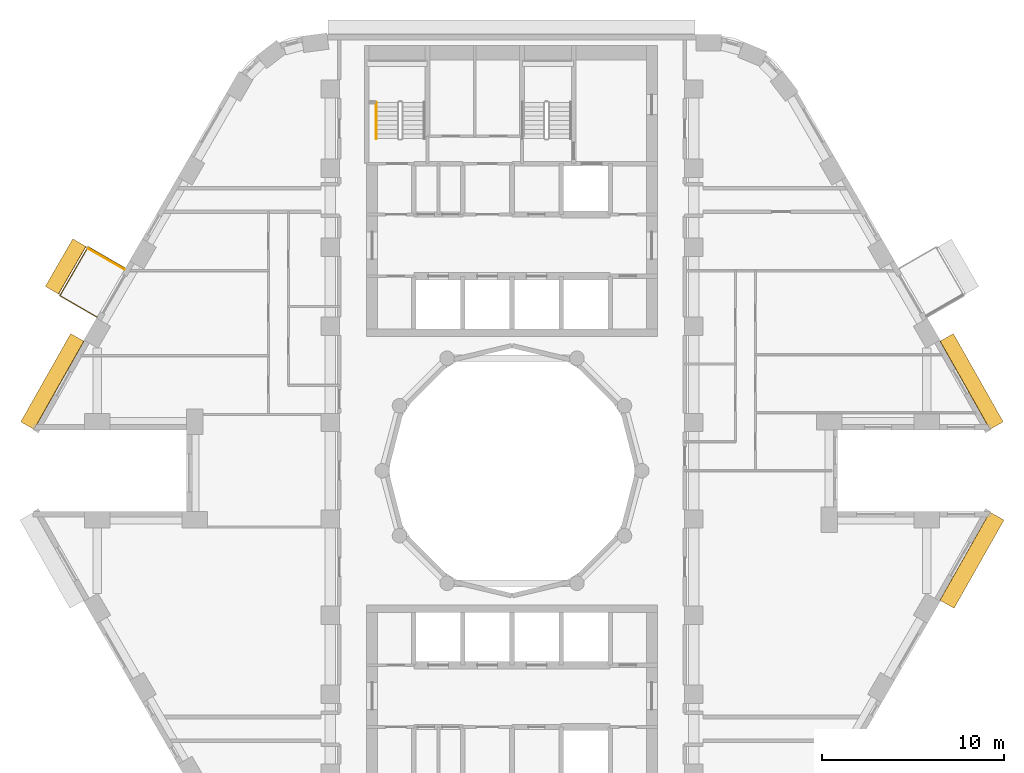
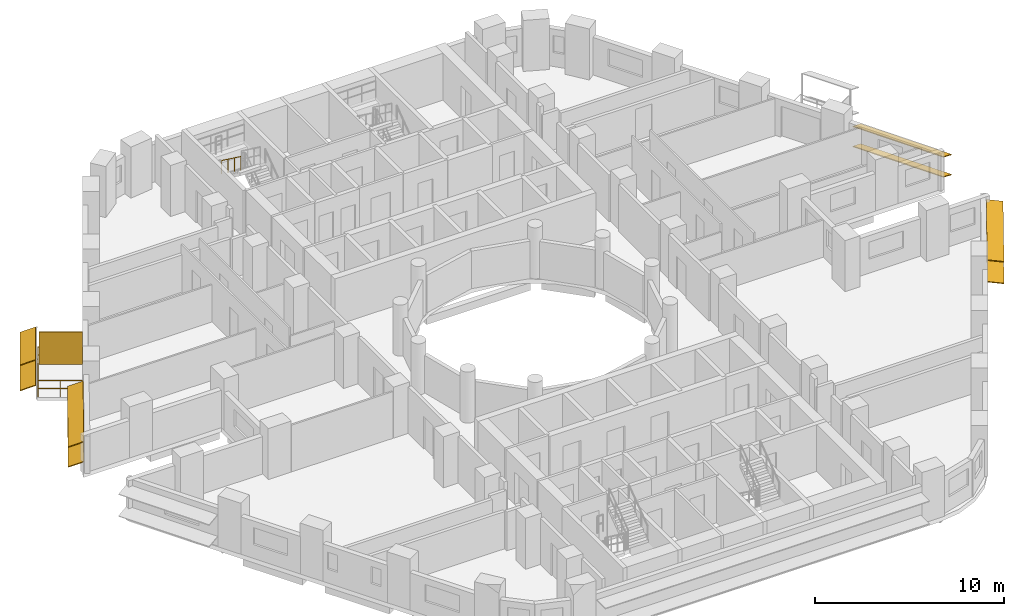
# One storey, part 13 of 14: 9 shading devices, 2 railings.
"""IFC4 building model written with IfcOpenShell, lengths in metres."""

from ifc_helpers import new_model, si_unit, direction, frame, origin, origin_2d, place, context, subcontext, project, spatial, rectangle, circle, extrude, material, layer, layer_set, material_profile, profile_set, type_object, element, save


model = new_model("IFC4")

# Units and contexts
model_context = context("Model", 3, precision=1e-05, world=origin(), true_north=direction((0.0, 1.0)))
body_context = subcontext(model_context, "Body", "Model", "MODEL_VIEW")
ifc_project = project(units=[si_unit("LENGTHUNIT", "METRE"), si_unit("AREAUNIT", "SQUARE_METRE"), si_unit("VOLUMEUNIT", "CUBIC_METRE"), si_unit("PLANEANGLEUNIT", "RADIAN"), si_unit("MASSUNIT", "GRAM", prefix="KILO")], contexts=[model_context])

# Site, building, storey
site_placement = place(None, origin())
site = spatial("IfcSite", under=ifc_project, at=site_placement, CompositionType="ELEMENT")
building_placement = place(site_placement, origin())
building = spatial("IfcBuilding", under=site, at=building_placement, Name="Nakaniwa Court", CompositionType="ELEMENT")
storey_placement = place(building_placement, frame((0.0, 0.0, 114.0)))
storey = spatial("IfcBuildingStorey", under=building, at=storey_placement, Name="L30", CompositionType="ELEMENT", Elevation=114.0)

# Railing
ifc_material_1 = material(Name="Black powder-coated steel flat bar balustrade S275", Category="steel")
railing_type_1 = type_object("IfcRailingType", Name="Black metal balcony guard 1100", PredefinedType="GUARDRAIL", material=ifc_material_1)
railing_1_placement = place(storey_placement, frame((58.7177734375, 91.13818359375, -0.050048828125)))
element("IfcRailing", 1, at=railing_1_placement, inside=storey, type_object=railing_type_1, Name="L30 balcony guard 01", PredefinedType="GUARDRAIL", context=body_context, shape_type="SweptSolid", body=[
    extrude(circle(Radius=0.02392578125, at=origin_2d()), frame((0.0, 0.0, 1.076171875), z_axis=(-0.866025363618, 0.50000006957, 0.0), x_axis=(-0.50000006957, -0.866025363618, 0.0)), (0.0, 0.0, 1.0), 2.35986328125),
    extrude(circle(Radius=0.02392578125, at=origin_2d()), frame((0.0, 0.0, 0.550048828125), z_axis=(-0.866025363618, 0.50000006957, 0.0), x_axis=(-0.50000006957, -0.866025363618, 0.0)), (0.0, 0.0, 1.0), 2.35986328125),
    extrude(circle(Radius=0.02392578125, at=origin_2d()), frame((-2.043701171875, 1.179931640625, 1.076171875), z_axis=(-0.499983724212, -0.866034800411, 0.0), x_axis=(0.866034800411, -0.499983724212, 0.0)), (0.0, 0.0, 1.0), 3.1005859375),
    extrude(circle(Radius=0.02392578125, at=origin_2d()), frame((-2.043701171875, 1.179931640625, 0.550048828125), z_axis=(-0.499983724212, -0.866034800411, 0.0), x_axis=(0.866034800411, -0.499983724212, 0.0)), (0.0, 0.0, 1.0), 3.1005859375),
    extrude(circle(Radius=0.02392578125, at=origin_2d()), frame((-3.593994140625, -1.50537109375, 1.076171875), z_axis=(0.866025363618, -0.50000006957, 0.0), x_axis=(0.50000006957, 0.866025363618, 0.0)), (0.0, 0.0, 1.0), 2.35986328125),
    extrude(circle(Radius=0.02392578125, at=origin_2d()), frame((-3.593994140625, -1.50537109375, 0.550048828125), z_axis=(0.866025363618, -0.50000006957, 0.0), x_axis=(0.50000006957, 0.866025363618, 0.0)), (0.0, 0.0, 1.0), 2.35986328125),
    extrude(circle(Radius=0.02099609375, at=origin_2d()), origin(), (0.0, 0.0, 1.0), 1.052001953125),
    extrude(circle(Radius=0.02099609375, at=origin_2d()), frame((-1.02197265625, 0.58984375, 0.0)), (0.0, 0.0, 1.0), 1.052001953125),
    extrude(circle(Radius=0.02099609375, at=origin_2d()), frame((-2.043701171875, 1.179931640625, 0.0)), (0.0, 0.0, 1.0), 1.052001953125),
    extrude(circle(Radius=0.02099609375, at=origin_2d()), frame((-2.560546875, 0.284912109375, 0.0)), (0.0, 0.0, 1.0), 1.052001953125),
    extrude(circle(Radius=0.02099609375, at=origin_2d()), frame((-3.0771484375, -0.6103515625, 0.0)), (0.0, 0.0, 1.0), 1.052001953125),
    extrude(circle(Radius=0.02099609375, at=origin_2d()), frame((-3.593994140625, -1.50537109375, 0.0)), (0.0, 0.0, 1.0), 1.052001953125),
    extrude(circle(Radius=0.02099609375, at=origin_2d()), frame((-2.572265625, -2.09521484375, 0.0)), (0.0, 0.0, 1.0), 1.052001953125),
    extrude(circle(Radius=0.02099609375, at=origin_2d()), frame((-1.55029296875, -2.685302734375, 0.0)), (0.0, 0.0, 1.0), 1.052001953125),
])

# Shading devices
ifc_material_2 = material(Name="Black powder-coated aluminium slat screen", Category="aluminium")
ifc_layer = layer(ifc_material_2, 0.0400390625)
ifc_layer_set = layer_set([ifc_layer], Name="Black powder-coated aluminium slat screen")
shading_device_type_1 = type_object("IfcShadingDeviceType", Name="Koshi screen black metal", PredefinedType="USERDEFINED", material=ifc_layer_set)
shading_device_placement = place(storey_placement, frame((57.677490234375, 91.646484375, -0.050048828125), z_axis=(0.0, 0.0, 1.0), x_axis=(-0.499974304289, -0.866040238702, 0.0)))
element("IfcShadingDevice", 2, at=shading_device_placement, inside=storey, type_object=shading_device_type_1, Name="L30 balcony SCREEN 01 W", ObjectType="KOSHI SCREEN", PredefinedType="USERDEFINED", context=body_context, shape_type="SweptSolid", body=[
    extrude(rectangle(XDim=0.0400390625, YDim=2.31005859375, at=origin_2d()), origin(), (0.0, 0.0, 1.0), 2.10009765625),
])
ifc_material_3 = material(Name="Perforated charcoal ceramic louvre blade")
ifc_material_profile = material_profile(ifc_material_3, rectangle(XDim=0.89990234375, YDim=0.050048828125, at=origin_2d()), Name="Perforated ceramic louvre blade")
ifc_profile_set = profile_set([ifc_material_profile], Name="Perforated charcoal ceramic louvre blade")
shading_device_type_2 = type_object("IfcShadingDeviceType", Name="Perforated ceramic louvre blade", PredefinedType="JALOUSIE", material=ifc_profile_set)
for number, where, z_axis, x_axis, name in (
    (3, (56.19921875, 92.546142578125, 0.5), (-0.50004193757, -0.866001189763, 0.0), (0.800080774353, -0.461978511518, 0.382683432365), "L30 perforated ceramic louvre blade 01 1"),
    (4, (56.19921875, 92.546142578125, 2.14990234375), (-0.50004193757, -0.866001189763, 0.0), (0.800080774353, -0.461978511518, 0.382683432365), "L30 perforated ceramic louvre blade 01 2"),
):
    element("IfcShadingDevice", number, at=place(storey_placement, frame(where, z_axis=z_axis, x_axis=x_axis)), inside=storey, type_object=shading_device_type_2, Name=name, PredefinedType="JALOUSIE", context=body_context, shape_type="SweptSolid", body=[
        extrude(rectangle(XDim=0.89990234375, YDim=0.050048828125, at=origin_2d()), origin(), (0.0, 0.0, 1.0), 3.020751953125),
    ])
for number, where, z_axis, x_axis, name in (
    (5, (106.662353515625, 82.480224609375, 0.550048828125), (-0.492438058427, 0.870347493024, 0.0), (-0.804676322539, -0.455281653718, 0.38107037635), "L30 perforated ceramic louvre blade w02 1"),
    (6, (106.662353515625, 82.480224609375, 1.845458984375), (-0.492438058427, 0.870347493024, 0.0), (-0.804676322539, -0.455281653718, 0.38107037635), "L30 perforated ceramic louvre blade w02 2"),
    (7, (56.083740234375, 87.333740234375, 0.550048828125), (-0.492438058427, -0.870347493024, 0.0), (0.804676322539, -0.455281653718, 0.38107037635), "L30 perforated ceramic louvre blade w14 1"),
    (8, (56.083740234375, 87.333740234375, 1.845458984375), (-0.492438058427, -0.870347493024, 0.0), (0.804676322539, -0.455281653718, 0.38107037635), "L30 perforated ceramic louvre blade w14 2"),
    (9, (103.93701171875, 72.654541015625, 0.550048828125), (0.492438058427, 0.870347493024, 0.0), (-0.862701960504, 0.488112256124, 0.132256390257), "L30 perforated ceramic louvre blade w32 1"),
    (10, (103.93701171875, 72.654541015625, 1.955810546875), (0.492438058427, 0.870347493024, 0.0), (-0.862701960504, 0.488112256124, 0.132256390257), "L30 perforated ceramic louvre blade w32 2"),
):
    element("IfcShadingDevice", number, at=place(storey_placement, frame(where, z_axis=z_axis, x_axis=x_axis)), inside=storey, type_object=shading_device_type_2, Name=name, PredefinedType="JALOUSIE", context=body_context, shape_type="SweptSolid", body=[
        extrude(rectangle(XDim=0.89990234375, YDim=0.050048828125, at=origin_2d()), origin(), (0.0, 0.0, 1.0), 5.576416015625),
    ])

# Railing
ifc_material_4 = material(Name="Black powder coated steel handrail", Category="steel")
railing_type_2 = type_object("IfcRailingType", Name="Stair handrail 900", PredefinedType="HANDRAIL", material=ifc_material_4)
railing_2_placement = place(storey_placement, frame((72.52490234375, 100.27490234375, 1.833251953125)))
element("IfcRailing", 11, at=railing_2_placement, inside=storey, type_object=railing_type_2, Name="L30 ST1 stair handrail 2", PredefinedType="HANDRAIL", context=body_context, shape_type="SweptSolid", body=[
    extrude(circle(Radius=0.02392578125, at=origin_2d()), frame((0.0, 0.0, 0.8759765625), z_axis=(0.0, -0.806379959628, 0.591397802423), x_axis=(1.0, 0.0, 0.0)), (0.0, 0.0, 1.0), 2.480224609375),
    extrude(circle(Radius=0.02099609375, at=origin_2d()), origin(), (0.0, 0.0, 1.0), 0.851806640625),
    extrude(circle(Radius=0.02099609375, at=origin_2d()), frame((0.0, -0.666748046875, 0.489013671875)), (0.0, 0.0, 1.0), 0.851806640625),
    extrude(circle(Radius=0.02099609375, at=origin_2d()), frame((0.0, -1.333251953125, 0.977783203125)), (0.0, 0.0, 1.0), 0.851806640625),
    extrude(circle(Radius=0.02099609375, at=origin_2d()), frame((0.0, -2.0, 1.466796875)), (0.0, 0.0, 1.0), 0.851806640625),
])

save(model, "model.ifc")
